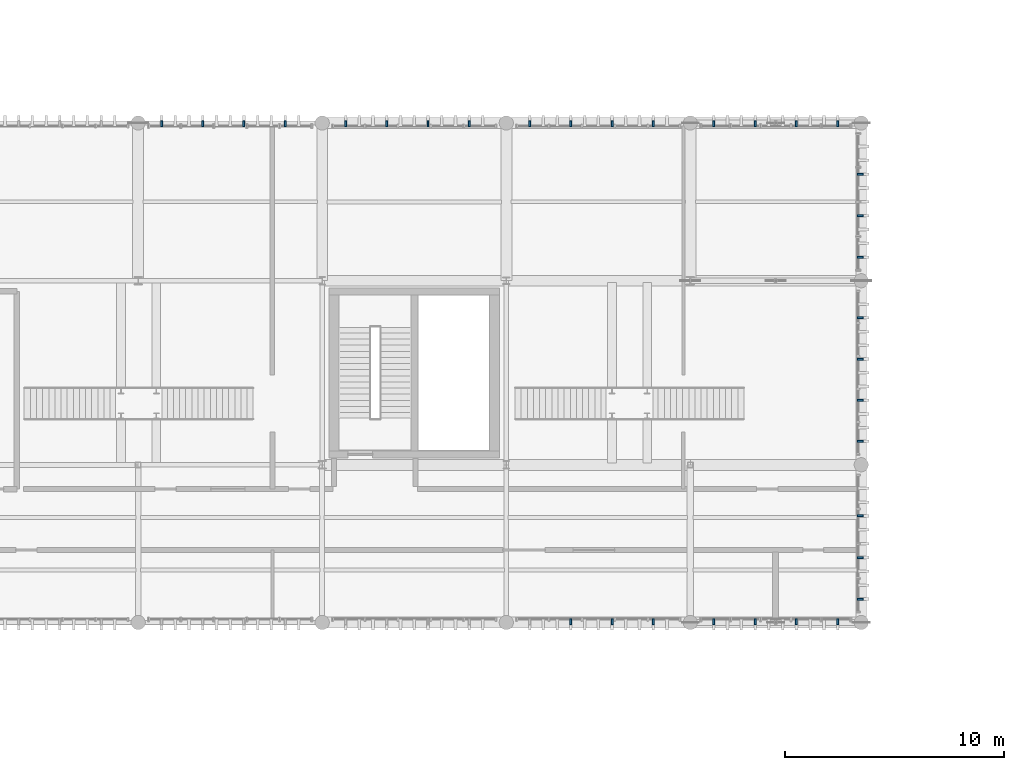
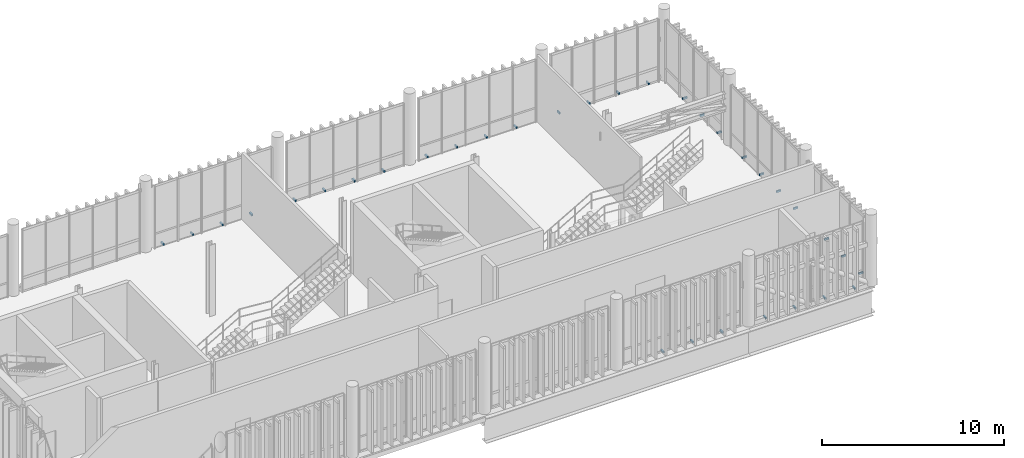
# One storey, part 78 of 86: 33 discrete accessories.
"""IFC4 building model written with IfcOpenShell, lengths in metres."""

from ifc_helpers import new_model, si_unit, direction, frame, origin_with_axes, origin_2d_with_axis, place, context, subcontext, project, spatial, rectangle, extrude, material, type_object, element, save


model = new_model("IFC4")

# Units and contexts
model_context = context("Model", 3, precision=1e-05, world=origin_with_axes(), true_north=direction((0.0, 1.0)))
body_context = subcontext(model_context, "Body", "Model", "MODEL_VIEW")
ifc_project = project(units=[si_unit("LENGTHUNIT", "METRE"), si_unit("AREAUNIT", "SQUARE_METRE"), si_unit("VOLUMEUNIT", "CUBIC_METRE"), si_unit("PLANEANGLEUNIT", "RADIAN"), si_unit("MASSUNIT", "GRAM", prefix="KILO"), si_unit("THERMODYNAMICTEMPERATUREUNIT", "KELVIN")], contexts=[model_context])

# Site, building, storey
site_placement = place(None, origin_with_axes())
site = spatial("IfcSite", under=ifc_project, at=site_placement, CompositionType="ELEMENT")
building_placement = place(site_placement, origin_with_axes())
building = spatial("IfcBuilding", under=site, at=building_placement, Name="Montbau Bow Law Courts", CompositionType="ELEMENT")
storey_placement = place(building_placement, frame((0.0, 0.0, 29.7), z_axis=(0.0, 0.0, 1.0), x_axis=(1.0, 0.0, 0.0)))
storey = spatial("IfcBuildingStorey", under=building, at=storey_placement, Name="L06", CompositionType="ELEMENT", Elevation=29.7)

# Discrete accessories
ifc_material = material(Name="Stainless Steel AISI 316L Outrigger Louvre Bracket", Category="steel")
discrete_accessory_type = type_object("IfcDiscreteAccessoryType", Name="DA-BRK-01", PredefinedType="BRACKET", material=ifc_material)
for number, where, z_axis, x_axis, name in (
    (1, (91.747, 39.04, 29.7), (0.0, 0.0, 1.0), (0.0, -1.0, 0.0), "BRK-L06-0744:brk_0744"),
    (2, (93.627, 39.04, 29.7), (0.0, 0.0, 1.0), (0.0, -1.0, 0.0), "BRK-L06-0745:brk_0745"),
    (3, (95.507, 39.04, 29.7), (0.0, 0.0, 1.0), (0.0, -1.0, 0.0), "BRK-L06-0746:brk_0746"),
    (4, (98.269, 39.04, 29.7), (0.0, 0.0, 1.0), (0.0, -1.0, 0.0), "BRK-L06-0747:brk_0747"),
    (5, (100.156, 39.04, 29.7), (0.0, 0.0, 1.0), (0.0, -1.0, 0.0), "BRK-L06-0748:brk_0748"),
    (6, (102.044, 39.04, 29.7), (0.0, 0.0, 1.0), (0.0, -1.0, 0.0), "BRK-L06-0749:brk_0749"),
    (7, (103.931, 39.04, 29.7), (0.0, 0.0, 1.0), (0.0, -1.0, 0.0), "BRK-L06-0750:brk_0750"),
    (8, (73.067, 61.76, 29.7), (0.0, 0.0, 1.0), (0.0, 1.0, 0.0), "BRK-L06-0759:brk_0759"),
    (9, (74.947, 61.76, 29.7), (0.0, 0.0, 1.0), (0.0, 1.0, 0.0), "BRK-L06-0760:brk_0760"),
    (10, (76.827, 61.76, 29.7), (0.0, 0.0, 1.0), (0.0, 1.0, 0.0), "BRK-L06-0761:brk_0761"),
    (11, (78.707, 61.76, 29.7), (0.0, 0.0, 1.0), (0.0, 1.0, 0.0), "BRK-L06-0762:brk_0762"),
    (12, (81.467, 61.76, 29.7), (0.0, 0.0, 1.0), (0.0, 1.0, 0.0), "BRK-L06-0763:brk_0763"),
    (13, (83.347, 61.76, 29.7), (0.0, 0.0, 1.0), (0.0, 1.0, 0.0), "BRK-L06-0764:brk_0764"),
    (14, (85.227, 61.76, 29.7), (0.0, 0.0, 1.0), (0.0, 1.0, 0.0), "BRK-L06-0765:brk_0765"),
    (15, (87.107, 61.76, 29.7), (0.0, 0.0, 1.0), (0.0, 1.0, 0.0), "BRK-L06-0766:brk_0766"),
    (16, (89.867, 61.76, 29.7), (0.0, 0.0, 1.0), (0.0, 1.0, 0.0), "BRK-L06-0767:brk_0767"),
    (17, (91.747, 61.76, 29.7), (0.0, 0.0, 1.0), (0.0, 1.0, 0.0), "BRK-L06-0768:brk_0768"),
    (18, (93.627, 61.76, 29.7), (0.0, 0.0, 1.0), (0.0, 1.0, 0.0), "BRK-L06-0769:brk_0769"),
    (19, (95.507, 61.76, 29.7), (0.0, 0.0, 1.0), (0.0, 1.0, 0.0), "BRK-L06-0770:brk_0770"),
    (20, (98.269, 61.76, 29.7), (0.0, 0.0, 1.0), (0.0, 1.0, 0.0), "BRK-L06-0771:brk_0771"),
    (21, (100.156, 61.76, 29.7), (0.0, 0.0, 1.0), (0.0, 1.0, 0.0), "BRK-L06-0772:brk_0772"),
    (22, (102.044, 61.76, 29.7), (0.0, 0.0, 1.0), (0.0, 1.0, 0.0), "BRK-L06-0773:brk_0773"),
    (23, (103.931, 61.76, 29.7), (0.0, 0.0, 1.0), (0.0, 1.0, 0.0), "BRK-L06-0774:brk_0774"),
    (24, (104.96, 40.072, 29.7), (0.0, 0.0, 1.0), (1.0, 0.0, 0.0), "BRK-L06-0785:brk_0785"),
    (25, (104.96, 41.968, 29.7), (0.0, 0.0, 1.0), (1.0, 0.0, 0.0), "BRK-L06-0786:brk_0786"),
    (26, (104.96, 43.864, 29.7), (0.0, 0.0, 1.0), (1.0, 0.0, 0.0), "BRK-L06-0787:brk_0787"),
    (27, (104.96, 47.267, 29.7), (0.0, 0.0, 1.0), (1.0, 0.0, 0.0), "BRK-L06-0788:brk_0788"),
    (28, (104.96, 49.147, 29.7), (0.0, 0.0, 1.0), (1.0, 0.0, 0.0), "BRK-L06-0789:brk_0789"),
    (29, (104.96, 51.027, 29.7), (0.0, 0.0, 1.0), (1.0, 0.0, 0.0), "BRK-L06-0790:brk_0790"),
    (30, (104.96, 52.907, 29.7), (0.0, 0.0, 1.0), (1.0, 0.0, 0.0), "BRK-L06-0791:brk_0791"),
    (31, (104.96, 55.672, 29.7), (0.0, 0.0, 1.0), (1.0, 0.0, 0.0), "BRK-L06-0792:brk_0792"),
    (32, (104.96, 57.568, 29.7), (0.0, 0.0, 1.0), (1.0, 0.0, 0.0), "BRK-L06-0793:brk_0793"),
    (33, (104.96, 59.464, 29.7), (0.0, 0.0, 1.0), (1.0, 0.0, 0.0), "BRK-L06-0794:brk_0794"),
):
    element("IfcDiscreteAccessory", number, at=place(None, frame(where, z_axis=z_axis, x_axis=x_axis)), inside=storey, type_object=discrete_accessory_type, Name=name, PredefinedType="BRACKET", context=body_context, shape_type="SweptSolid", body=[
        extrude(rectangle(XDim=0.28, YDim=0.09, at=origin_2d_with_axis()), origin_with_axes(), (0.0, 0.0, 1.0), 0.12),
    ])

save(model, "model.ifc")
